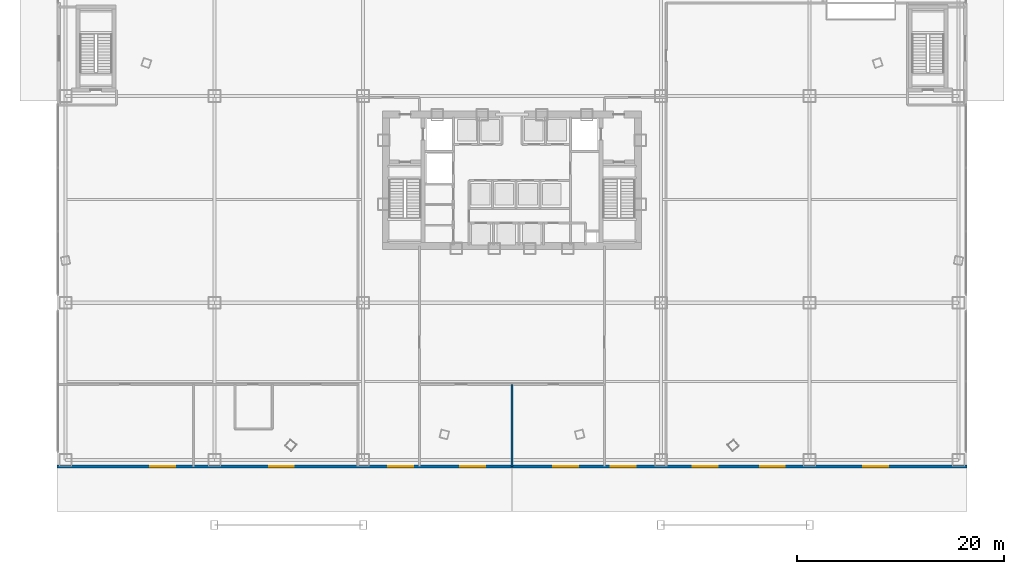
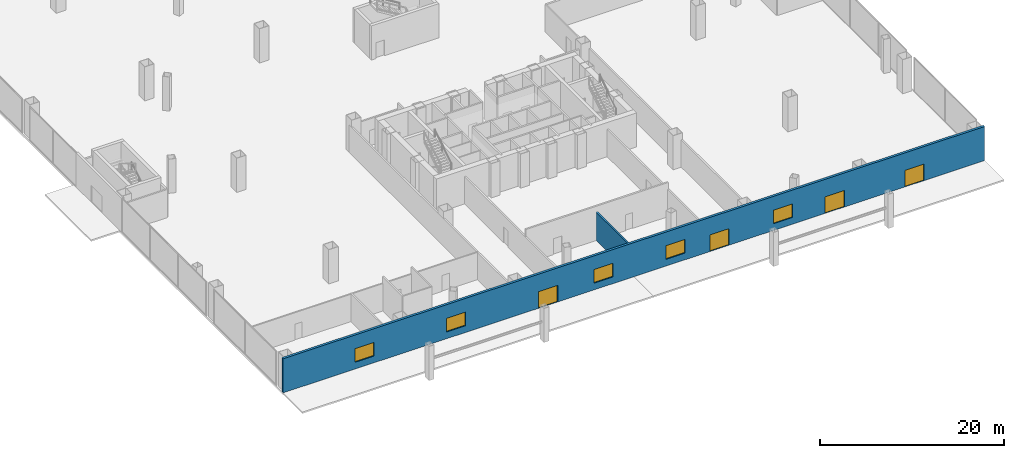
# One storey, part 49 of 58: 5 windows, 4 doors, 2 walls, 9 openings.
"""IFC4 building model written with IfcOpenShell, lengths in metres."""

from ifc_helpers import new_model, si_unit, direction, frame, frame_2d, origin, origin_with_axes, place, context, subcontext, project, spatial, rectangle, extrude, source, transform, mapped, material, layer, layer_set, type_object, element, fill, save


model = new_model("IFC4")

# Units and contexts
model_context = context("Model", 3, precision=1e-05, world=origin(), true_north=direction((0.0, 1.0)))
body_context = subcontext(model_context, "Body", "Model", "MODEL_VIEW")
ifc_project = project(units=[si_unit("LENGTHUNIT", "METRE"), si_unit("AREAUNIT", "SQUARE_METRE"), si_unit("VOLUMEUNIT", "CUBIC_METRE"), si_unit("PLANEANGLEUNIT", "RADIAN"), si_unit("MASSUNIT", "GRAM", prefix="KILO"), si_unit("THERMODYNAMICTEMPERATUREUNIT", "KELVIN"), si_unit("POWERUNIT", "WATT")], contexts=[model_context])

# Site, building, storey
site_placement = place(None, origin())
site = spatial("IfcSite", under=ifc_project, at=site_placement, CompositionType="ELEMENT")
building_placement = place(site_placement, origin())
building = spatial("IfcBuilding", under=site, at=building_placement, Name="Yunzhuo Pagoda Commons", CompositionType="ELEMENT")
storey_placement = place(building_placement, origin())
storey = spatial("IfcBuildingStorey", under=building, at=storey_placement, Name="L01", CompositionType="ELEMENT", Elevation=0.0)

# Wall, openings, doors, windows
ifc_material_1 = material(Name="Precast concrete C40", Category="concrete")
ifc_layer_1 = layer(ifc_material_1, 0.300048828125)
ifc_layer_set_1 = layer_set([ifc_layer_1], Name="Precast concrete C40")
wall_type_1 = type_object("IfcWallType", Name="W-EXT1 Podium Precast Spandrel Wall 300", PredefinedType="STANDARD", material=ifc_layer_set_1)
wall_1_placement = place(storey_placement, frame((4.0, 6.14990234375, 0.0), z_axis=(0.0, 0.0, 1.0), x_axis=(1.0, 0.0, 0.0)))
wall_1 = element("IfcWall", 1, at=wall_1_placement, inside=storey, type_object=wall_type_1, Name="L01 south facade wall", PredefinedType="STANDARD", context=body_context, shape_type="SweptSolid", body=[
    extrude(rectangle(XDim=88.0, YDim=0.300048828125, at=frame_2d((44.0, 0.0))), origin(), (0.0, 0.0, 1.0), 4.52001953125),
])
opening_1_placement = place(wall_1_placement, frame((32.050048828125, 0.0, 0.0)))
opening_1 = element("IfcOpeningElement", 2, at=opening_1_placement, cuts=wall_1, Name="Opening D-EXT1", PredefinedType="OPENING", context=body_context, shape_type="SweptSolid", body=[
    extrude(rectangle(XDim=2.39990234375, YDim=2.199951171875, at=frame_2d((1.199951171875, 1.10009765625))), frame((0.0, 0.16015625, 0.0), z_axis=(0.0, -1.0, 0.0), x_axis=(1.0, 0.0, 0.0)), (0.0, 0.0, 1.0), 0.320068359375),
])
opening_2_placement = place(wall_1_placement, frame((53.550048828125, 0.0, 0.0)))
opening_2 = element("IfcOpeningElement", 3, at=opening_2_placement, cuts=wall_1, Name="Opening D-EXT1", PredefinedType="OPENING", context=body_context, shape_type="SweptSolid", body=[
    extrude(rectangle(XDim=2.39990234375, YDim=2.199951171875, at=frame_2d((1.199951171875, 1.10009765625))), frame((0.0, 0.16015625, 0.0), z_axis=(0.0, -1.0, 0.0), x_axis=(1.0, 0.0, 0.0)), (0.0, 0.0, 1.0), 0.320068359375),
])
opening_3_placement = place(wall_1_placement, frame((68.0, 0.0, 0.0)))
opening_3 = element("IfcOpeningElement", 4, at=opening_3_placement, cuts=wall_1, Name="Opening D-EXT1", PredefinedType="OPENING", context=body_context, shape_type="SweptSolid", body=[
    extrude(rectangle(XDim=2.39990234375, YDim=2.199951171875, at=frame_2d((1.199951171875, 1.10009765625))), frame((0.0, 0.16015625, 0.0), z_axis=(0.0, -1.0, 0.0), x_axis=(1.0, 0.0, 0.0)), (0.0, 0.0, 1.0), 0.320068359375),
])
opening_4_placement = place(wall_1_placement, frame((78.0, 0.0, 0.0)))
opening_4 = element("IfcOpeningElement", 5, at=opening_4_placement, cuts=wall_1, Name="Opening D-EXT1", PredefinedType="OPENING", context=body_context, shape_type="SweptSolid", body=[
    extrude(rectangle(XDim=2.39990234375, YDim=2.199951171875, at=frame_2d((1.199951171875, 1.10009765625))), frame((0.0, 0.16015625, 0.0), z_axis=(0.0, -1.0, 0.0), x_axis=(1.0, 0.0, 0.0)), (0.0, 0.0, 1.0), 0.320068359375),
])
opening_5_placement = place(wall_1_placement, frame((9.0, 0.0, 0.89990234375)))
opening_5 = element("IfcOpeningElement", 6, at=opening_5_placement, cuts=wall_1, Name="Opening W-01", PredefinedType="OPENING", context=body_context, shape_type="SweptSolid", body=[
    extrude(rectangle(XDim=2.39990234375, YDim=1.800048828125, at=frame_2d((1.199951171875, 0.89990234375))), frame((0.0, 0.16015625, 0.0), z_axis=(0.0, -1.0, 0.0), x_axis=(1.0, 0.0, 0.0)), (0.0, 0.0, 1.0), 0.320068359375),
])
opening_6_placement = place(wall_1_placement, frame((20.5, 0.0, 0.89990234375)))
opening_6 = element("IfcOpeningElement", 7, at=opening_6_placement, cuts=wall_1, Name="Opening W-01", PredefinedType="OPENING", context=body_context, shape_type="SweptSolid", body=[
    extrude(rectangle(XDim=2.39990234375, YDim=1.800048828125, at=frame_2d((1.199951171875, 0.89990234375))), frame((0.0, 0.16015625, 0.0), z_axis=(0.0, -1.0, 0.0), x_axis=(1.0, 0.0, 0.0)), (0.0, 0.0, 1.0), 0.320068359375),
])
opening_7_placement = place(wall_1_placement, frame((39.0, 0.0, 0.89990234375)))
opening_7 = element("IfcOpeningElement", 8, at=opening_7_placement, cuts=wall_1, Name="Opening W-01", PredefinedType="OPENING", context=body_context, shape_type="SweptSolid", body=[
    extrude(rectangle(XDim=2.39990234375, YDim=1.800048828125, at=frame_2d((1.199951171875, 0.89990234375))), frame((0.0, 0.16015625, 0.0), z_axis=(0.0, -1.0, 0.0), x_axis=(1.0, 0.0, 0.0)), (0.0, 0.0, 1.0), 0.320068359375),
])
opening_8_placement = place(wall_1_placement, frame((48.0, 0.0, 0.89990234375)))
opening_8 = element("IfcOpeningElement", 9, at=opening_8_placement, cuts=wall_1, Name="Opening W-01", PredefinedType="OPENING", context=body_context, shape_type="SweptSolid", body=[
    extrude(rectangle(XDim=2.39990234375, YDim=1.800048828125, at=frame_2d((1.199951171875, 0.89990234375))), frame((0.0, 0.16015625, 0.0), z_axis=(0.0, -1.0, 0.0), x_axis=(1.0, 0.0, 0.0)), (0.0, 0.0, 1.0), 0.320068359375),
])
opening_9_placement = place(wall_1_placement, frame((61.5, 0.0, 0.89990234375)))
opening_9 = element("IfcOpeningElement", 10, at=opening_9_placement, cuts=wall_1, Name="Opening W-01", PredefinedType="OPENING", context=body_context, shape_type="SweptSolid", body=[
    extrude(rectangle(XDim=2.39990234375, YDim=1.800048828125, at=frame_2d((1.199951171875, 0.89990234375))), frame((0.0, 0.16015625, 0.0), z_axis=(0.0, -1.0, 0.0), x_axis=(1.0, 0.0, 0.0)), (0.0, 0.0, 1.0), 0.320068359375),
])
ifc_material_2 = material(Name="Anodized aluminium frame and tempered glazed leaf", Category="aluminium")
door_type = type_object("IfcDoorType", Name="D-EXT1 Double Glazed Pedestrian Exit Door 2400x2200", OperationType="DOUBLE_DOOR_SINGLE_SWING", PredefinedType="DOOR", material=ifc_material_2)
shared_shape_1 = source(origin(), body_context, "Body", "SweptSolid", [
    extrude(rectangle(XDim=2.39990234375, YDim=2.199951171875, at=frame_2d((1.199951171875, 1.10009765625))), frame((0.0, 0.02490234375, 0.0), z_axis=(0.0, -1.0, 0.0), x_axis=(1.0, 0.0, 0.0)), (0.0, 0.0, 1.0), 0.050048828125),
])
door_1_placement = place(opening_1_placement, frame((2.39990234375, 0.0, 0.0), z_axis=(0.0, 0.0, 1.0), x_axis=(-1.0, 0.0, 0.0)))
door_1 = element("IfcDoor", 11, at=door_1_placement, inside=storey, type_object=door_type, Name="ST1 south exit passage discharge door", OperationType="DOUBLE_DOOR_SINGLE_SWING", OverallHeight=2.199951171875, OverallWidth=2.39990234375, PredefinedType="DOOR", context=body_context, shape_type="MappedRepresentation", body=[
    mapped(shared_shape_1, transform((0.0, 0.0, 0.0), scale=1.0)),
])
fill(opening_1, door_1)
door_2_placement = place(opening_2_placement, frame((2.39990234375, 0.0, 0.0), z_axis=(0.0, 0.0, 1.0), x_axis=(-1.0, 0.0, 0.0)))
door_2 = element("IfcDoor", 12, at=door_2_placement, inside=storey, type_object=door_type, Name="ST2 south exit passage discharge door", OperationType="DOUBLE_DOOR_SINGLE_SWING", OverallHeight=2.199951171875, OverallWidth=2.39990234375, PredefinedType="DOOR", context=body_context, shape_type="MappedRepresentation", body=[
    mapped(shared_shape_1, transform((0.0, 0.0, 0.0), scale=1.0)),
])
fill(opening_2, door_2)
door_3_placement = place(opening_3_placement, frame((2.39990234375, 0.0, 0.0), z_axis=(0.0, 0.0, 1.0), x_axis=(-1.0, 0.0, 0.0)))
door_3 = element("IfcDoor", 13, at=door_3_placement, inside=storey, type_object=door_type, Name="South retail exit discharge door", OperationType="DOUBLE_DOOR_SINGLE_SWING", OverallHeight=2.199951171875, OverallWidth=2.39990234375, PredefinedType="DOOR", context=body_context, shape_type="MappedRepresentation", body=[
    mapped(shared_shape_1, transform((0.0, 0.0, 0.0), scale=1.0)),
])
fill(opening_3, door_3)
door_4_placement = place(opening_4_placement, frame((2.39990234375, 0.0, 0.0), z_axis=(0.0, 0.0, 1.0), x_axis=(-1.0, 0.0, 0.0)))
door_4 = element("IfcDoor", 14, at=door_4_placement, inside=storey, type_object=door_type, Name="South-east commons exit door", OperationType="DOUBLE_DOOR_SINGLE_SWING", OverallHeight=2.199951171875, OverallWidth=2.39990234375, PredefinedType="DOOR", context=body_context, shape_type="MappedRepresentation", body=[
    mapped(shared_shape_1, transform((0.0, 0.0, 0.0), scale=1.0)),
])
fill(opening_4, door_4)
ifc_material_3 = material(Name="Tempered low-e double glazing", Category="glass")
window_type = type_object("IfcWindowType", Name="W-01 Podium Fixed Ribbon Window 2400x1800", PartitioningType="DOUBLE_PANEL_VERTICAL", PredefinedType="WINDOW", material=ifc_material_3)
shared_shape_2 = source(origin(), body_context, "Body", "SweptSolid", [
    extrude(rectangle(XDim=2.39990234375, YDim=1.800048828125, at=frame_2d((1.199951171875, 0.89990234375))), frame((0.0, 0.030029296875, 0.0), z_axis=(0.0, -1.0, 0.0), x_axis=(1.0, 0.0, 0.0)), (0.0, 0.0, 1.0), 0.06005859375),
])
window_1_placement = place(opening_5_placement, origin_with_axes())
window_1 = element("IfcWindow", 15, at=window_1_placement, inside=storey, type_object=window_type, Name="L01 south window 1", OverallHeight=1.800048828125, OverallWidth=2.39990234375, PartitioningType="SINGLE_PANEL", PredefinedType="WINDOW", context=body_context, shape_type="MappedRepresentation", body=[
    mapped(shared_shape_2, transform((0.0, 0.0, 0.0), scale=1.0)),
])
fill(opening_5, window_1)
window_2_placement = place(opening_6_placement, origin_with_axes())
window_2 = element("IfcWindow", 16, at=window_2_placement, inside=storey, type_object=window_type, Name="L01 south window 2", OverallHeight=1.800048828125, OverallWidth=2.39990234375, PartitioningType="SINGLE_PANEL", PredefinedType="WINDOW", context=body_context, shape_type="MappedRepresentation", body=[
    mapped(shared_shape_2, transform((0.0, 0.0, 0.0), scale=1.0)),
])
fill(opening_6, window_2)
window_3_placement = place(opening_7_placement, origin_with_axes())
window_3 = element("IfcWindow", 17, at=window_3_placement, inside=storey, type_object=window_type, Name="L01 south window 3", OverallHeight=1.800048828125, OverallWidth=2.39990234375, PartitioningType="SINGLE_PANEL", PredefinedType="WINDOW", context=body_context, shape_type="MappedRepresentation", body=[
    mapped(shared_shape_2, transform((0.0, 0.0, 0.0), scale=1.0)),
])
fill(opening_7, window_3)
window_4_placement = place(opening_8_placement, origin_with_axes())
window_4 = element("IfcWindow", 18, at=window_4_placement, inside=storey, type_object=window_type, Name="L01 south window 4", OverallHeight=1.800048828125, OverallWidth=2.39990234375, PartitioningType="SINGLE_PANEL", PredefinedType="WINDOW", context=body_context, shape_type="MappedRepresentation", body=[
    mapped(shared_shape_2, transform((0.0, 0.0, 0.0), scale=1.0)),
])
fill(opening_8, window_4)
window_5_placement = place(opening_9_placement, origin_with_axes())
window_5 = element("IfcWindow", 19, at=window_5_placement, inside=storey, type_object=window_type, Name="L01 south window 5", OverallHeight=1.800048828125, OverallWidth=2.39990234375, PartitioningType="SINGLE_PANEL", PredefinedType="WINDOW", context=body_context, shape_type="MappedRepresentation", body=[
    mapped(shared_shape_2, transform((0.0, 0.0, 0.0), scale=1.0)),
])
fill(opening_9, window_5)

# Wall
ifc_material_4 = material(Name="Concrete C40", Category="concrete")
ifc_layer_2 = layer(ifc_material_4, 0.199951171875)
ifc_layer_set_2 = layer_set([ifc_layer_2], Name="Concrete C40")
wall_type_2 = type_object("IfcWallType", Name="W-SHF Shaft & Stair Enclosure Wall 200", PredefinedType="SOLIDWALL", material=ifc_layer_set_2)
wall_2_placement = place(storey_placement, frame((48.0, 6.14990234375, 0.0), z_axis=(0.0, 0.0, 1.0), x_axis=(0.0, 1.0, 0.0)))
element("IfcWall", 20, at=wall_2_placement, inside=storey, type_object=wall_type_2, Name="L01 interior wall IW-L01-FCCM", PredefinedType="SOLIDWALL", context=body_context, shape_type="SweptSolid", body=[
    extrude(rectangle(XDim=7.9501953125, YDim=0.199951171875, at=frame_2d((3.97509765625, 0.0))), origin(), (0.0, 0.0, 1.0), 3.719970703125),
])

save(model, "model.ifc")
